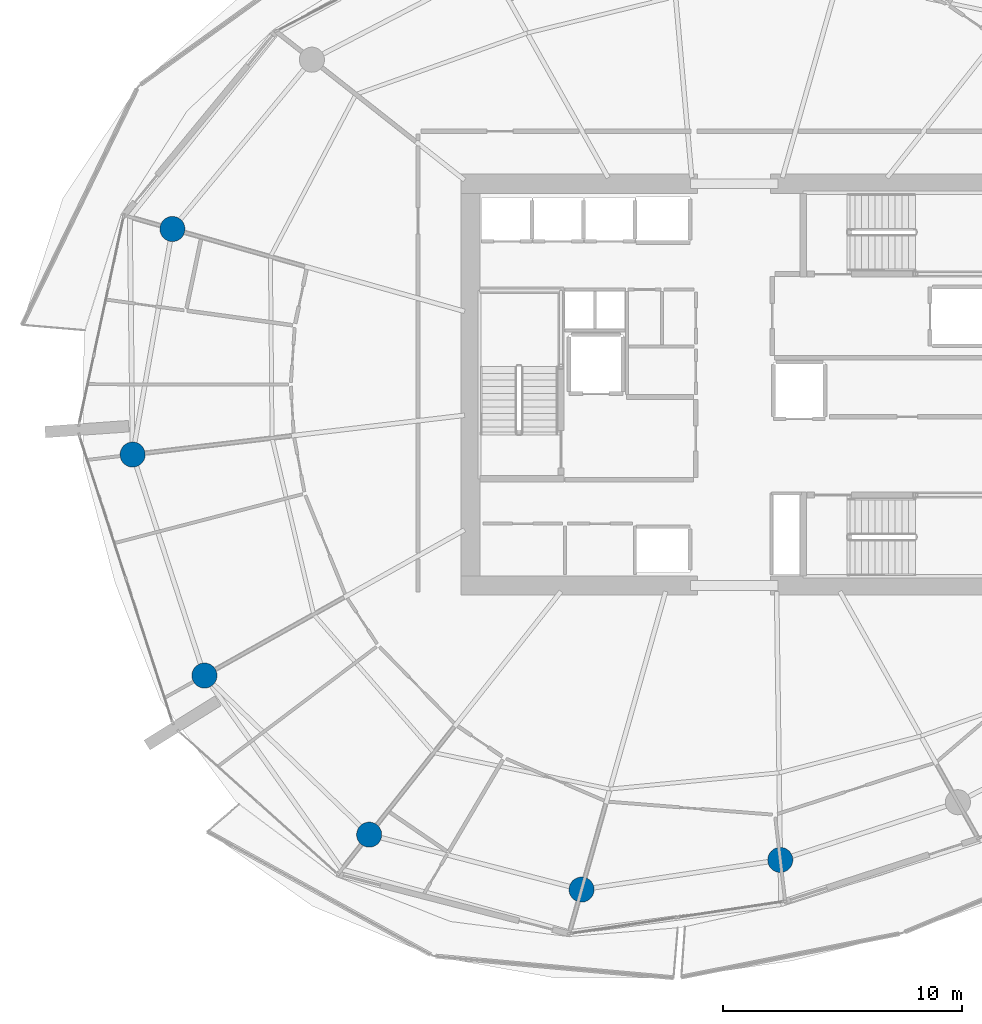
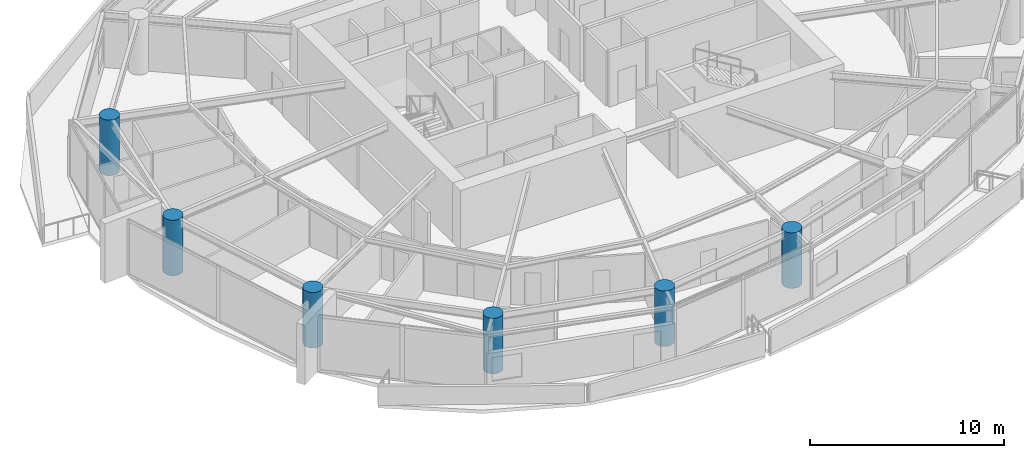
# One storey, part 1 of 20: 6 columns.
"""IFC4 building model written with IfcOpenShell, lengths in metres."""

from ifc_helpers import new_model, si_unit, direction, frame, origin, origin_2d, place, context, subcontext, project, spatial, circle, extrude, material, material_profile, profile_set, type_object, element, save


model = new_model("IFC4")

# Units and contexts
model_context = context("Model", 3, precision=1e-05, world=origin(), true_north=direction((0.0, 1.0)))
body_context = subcontext(model_context, "Body", "Model", "MODEL_VIEW")
ifc_project = project(units=[si_unit("LENGTHUNIT", "METRE"), si_unit("AREAUNIT", "SQUARE_METRE"), si_unit("VOLUMEUNIT", "CUBIC_METRE"), si_unit("PLANEANGLEUNIT", "RADIAN"), si_unit("MASSUNIT", "GRAM", prefix="KILO")], contexts=[model_context])

# Site, building, storey
site_placement = place(None, origin())
site = spatial("IfcSite", under=ifc_project, at=site_placement, CompositionType="ELEMENT")
building_placement = place(site_placement, origin())
building = spatial("IfcBuilding", under=site, at=building_placement, Name="Kazma Halo Residences", CompositionType="ELEMENT")
storey_placement = place(building_placement, frame((0.0, 0.0, 135.300048828125)))
storey = spatial("IfcBuildingStorey", under=building, at=storey_placement, Name="L33", CompositionType="ELEMENT", Elevation=135.300048828125)

# Columns
ifc_material = material(Name="Concrete C80/95", Category="concrete")
ifc_material_profile = material_profile(ifc_material, circle(Radius=0.52490234375, at=origin_2d()), Name="CIRC1050")
ifc_profile_set = profile_set([ifc_material_profile], Name="Concrete C80/95")
column_type = type_object("IfcColumnType", Name="COL-PERIM-1050", PredefinedType="COLUMN", material=ifc_profile_set)
for number, where, z_axis, x_axis, name in (
    (1, (24.93017578125, 48.50634765625, 0.0), (0.0, 0.0, 1.0), (1.0, 0.0, 0.0), "L33 perimeter ring column P07"),
    (2, (23.266845703125, 39.072509765625, 0.0), (0.0, 0.0, 1.0), (1.0, 0.0, 0.0), "L33 perimeter ring column P08"),
    (3, (26.269775390625, 29.83056640625, 0.0), (0.0, 0.0, 1.0), (1.0, 0.0, 0.0), "L33 perimeter ring column P09"),
    (4, (33.160400390625, 23.17626953125, 0.0), (0.0, 0.0, 1.0), (1.0, 0.0, 0.0), "L33 perimeter ring column P10"),
    (5, (42.04296875, 20.878173828125, 0.0), (0.0, 0.0, 1.0), (1.0, 0.0, 0.0), "L33 perimeter ring column P11"),
    (6, (50.35302734375, 22.118896484375, 0.0), (0.0, 0.0, 1.0), (1.0, 0.0, 0.0), "L33 perimeter ring column P12"),
):
    element("IfcColumn", number, at=place(storey_placement, frame(where, z_axis=z_axis, x_axis=x_axis)), inside=storey, type_object=column_type, Name=name, PredefinedType="COLUMN", context=body_context, shape_type="SweptSolid", body=[
        extrude(circle(Radius=0.52490234375, at=origin_2d()), origin(), (0.0, 0.0, 1.0), 3.5),
    ])

save(model, "model.ifc")
